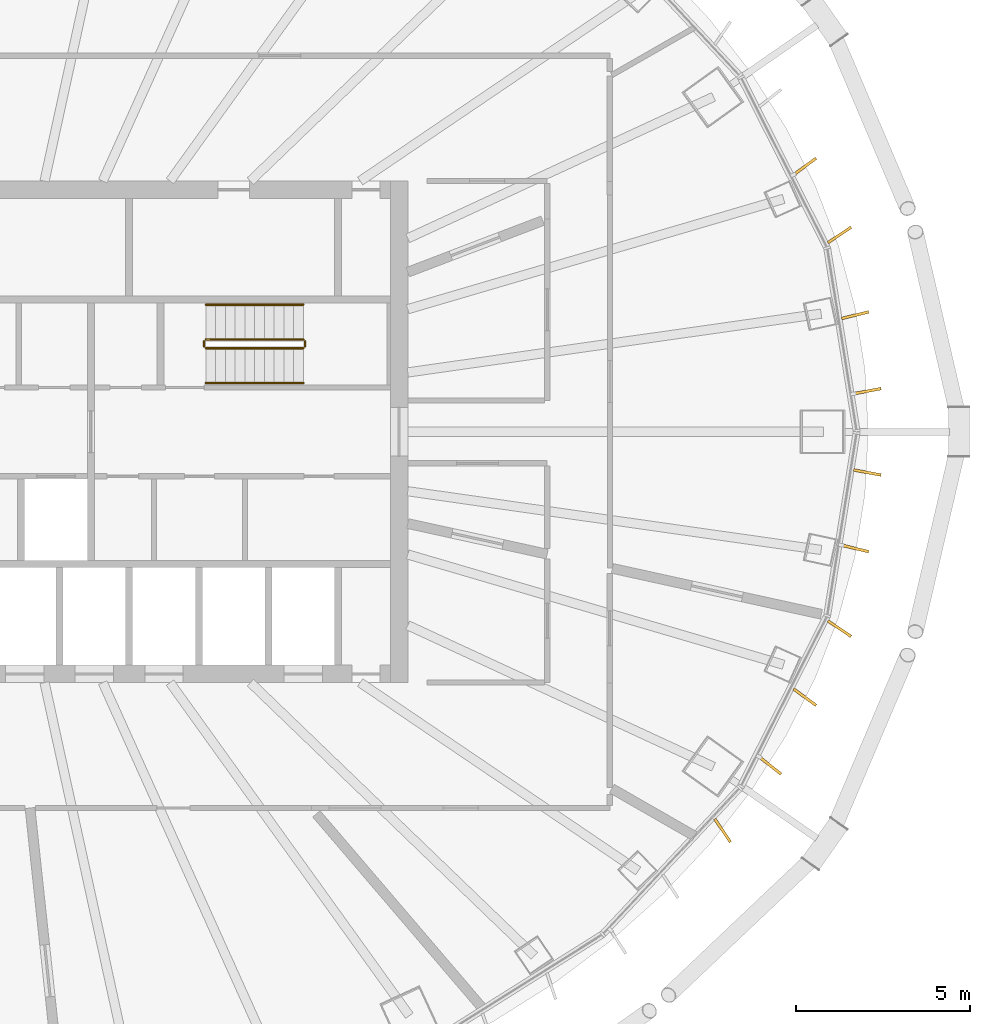
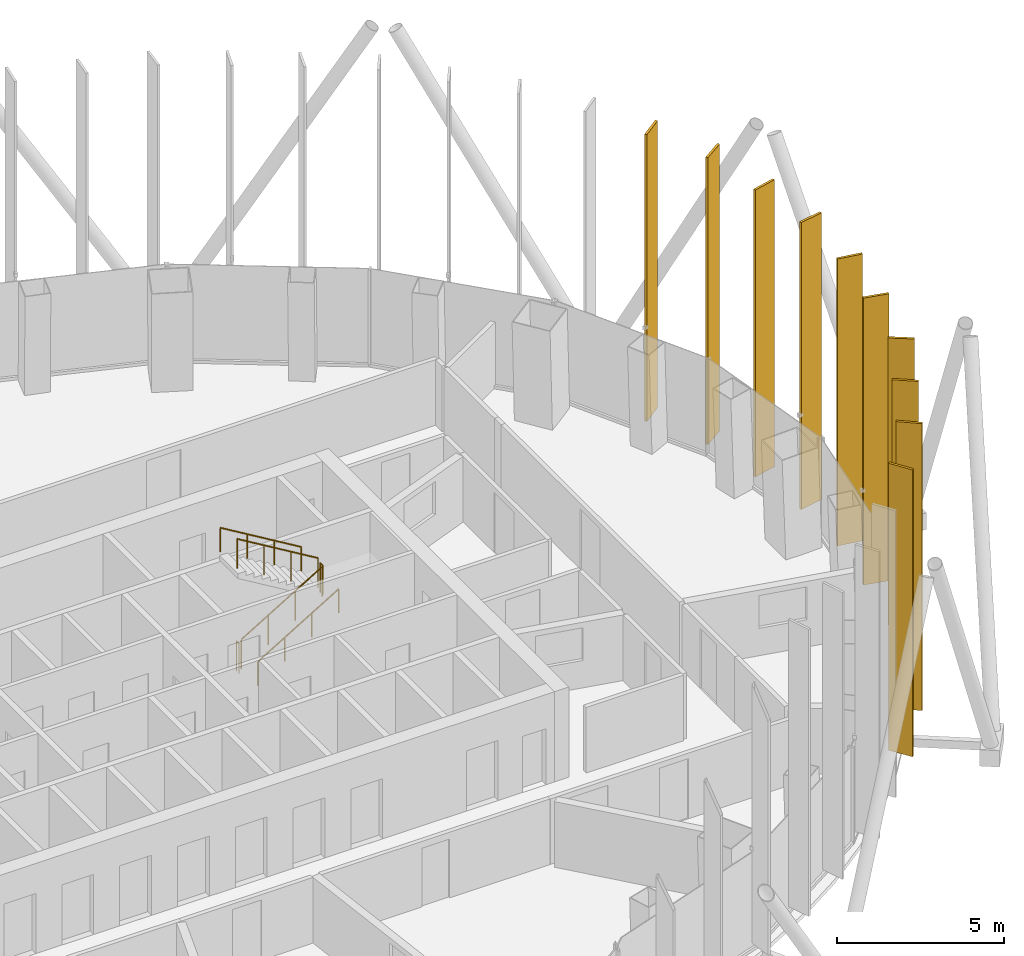
# One storey, part 18 of 19: 10 shading devices, 6 railings.
"""IFC4 building model written with IfcOpenShell, lengths in metres."""

from ifc_helpers import new_model, si_unit, direction, frame, origin, origin_2d, place, context, subcontext, project, spatial, rectangle, circle, extrude, material, layer, layer_set, type_object, element, save


model = new_model("IFC4")

# Units and contexts
model_context = context("Model", 3, precision=1e-05, world=origin(), true_north=direction((0.0, 1.0)))
body_context = subcontext(model_context, "Body", "Model", "MODEL_VIEW")
ifc_project = project(units=[si_unit("LENGTHUNIT", "METRE"), si_unit("AREAUNIT", "SQUARE_METRE"), si_unit("VOLUMEUNIT", "CUBIC_METRE"), si_unit("PLANEANGLEUNIT", "RADIAN"), si_unit("MASSUNIT", "GRAM", prefix="KILO")], contexts=[model_context])

# Site, building, storey
site_placement = place(None, origin())
site = spatial("IfcSite", under=ifc_project, at=site_placement, CompositionType="ELEMENT")
building_placement = place(site_placement, origin())
building = spatial("IfcBuilding", under=site, at=building_placement, Name="Siaravel Broadcast Tower", CompositionType="ELEMENT")
storey_placement = place(building_placement, frame((0.0, 0.0, 130.39990234375)))
storey = spatial("IfcBuildingStorey", under=building, at=storey_placement, Name="L31", CompositionType="ELEMENT", Elevation=130.39990234375)

# Shading devices
ifc_material_1 = material(Name="Bronze anodised aluminium", Category="aluminium")
ifc_layer = layer(ifc_material_1, 0.080078125)
ifc_layer_set = layer_set([ifc_layer], Name="Bronze anodised aluminium")
shading_device_type = type_object("IfcShadingDeviceType", Name="Bronze fin zone 2", PredefinedType="USERDEFINED", material=ifc_layer_set)
for number, where, z_axis, x_axis, name in (
    (1, (25.193359375, 1.167724609375, 0.300048828125), (0.0, 0.0, 1.0), (0.982870756, 0.184296164, 0.0), "Bronze fin L31-01"),
    (2, (24.841796875, 3.34765625, 0.300048828125), (0.0, 0.0, 1.0), (0.972128198, 0.234449926, 0.0), "Bronze fin L31-02"),
    (3, (24.39404296875, 5.651611328125, 0.300048828125), (0.0, 0.0, 1.0), (0.829358532, 0.558716767, 0.0), "Bronze fin L31-03"),
    (4, (23.3974609375, 7.6171875, 0.300048828125), (0.0, 0.0, 1.0), (0.805954113, 0.591978013, 0.0), "Bronze fin L31-04"),
    (5, (21.03857421875, -11.446533203125, 0.300048828125), (0.0, 0.0, 1.0), (0.56024149, -0.828329327, 0.0), "Bronze fin L31-60"),
    (6, (22.402099609375, -9.580078125, 0.300048828125), (0.0, 0.0, 1.0), (0.785557828, -0.61878825, 0.0), "Bronze fin L31-61"),
    (7, (23.3974609375, -7.6171875, 0.300048828125), (0.0, 0.0, 1.0), (0.805954113, -0.591978013, 0.0), "Bronze fin L31-62"),
    (8, (24.39404296875, -5.651611328125, 0.300048828125), (0.0, 0.0, 1.0), (0.829358532, -0.558716767, 0.0), "Bronze fin L31-63"),
    (9, (24.841796875, -3.34765625, 0.300048828125), (0.0, 0.0, 1.0), (0.972128198, -0.234449926, 0.0), "Bronze fin L31-64"),
    (10, (25.193359375, -1.167724609375, 0.300048828125), (0.0, 0.0, 1.0), (0.982870756, -0.184296164, 0.0), "Bronze fin L31-65"),
):
    element("IfcShadingDevice", number, at=place(storey_placement, frame(where, z_axis=z_axis, x_axis=x_axis)), inside=storey, type_object=shading_device_type, Name=name, ObjectType="FIN", PredefinedType="USERDEFINED", context=body_context, shape_type="SweptSolid", body=[
        extrude(rectangle(XDim=0.800048828125, YDim=0.080078125, at=origin_2d()), origin(), (0.0, 0.0, 1.0), 10.5),
    ])

# Railings
ifc_material_2 = material(Name="Stainless steel 316L", Category="steel")
railing_type_1 = type_object("IfcRailingType", Name="Stair guard 1100", PredefinedType="GUARDRAIL", material=ifc_material_2)
railing_1_placement = place(storey_placement, frame((6.199951171875, 2.39990234375, 0.168212890625)))
element("IfcRailing", 11, at=railing_1_placement, inside=storey, type_object=railing_type_1, Name="L31 ST-2 stair guard 1", PredefinedType="GUARDRAIL", context=body_context, shape_type="SweptSolid", body=[
    extrude(circle(Radius=0.02392578125, at=origin_2d()), frame((0.0, 0.0, 1.076171875), z_axis=(0.857242211, 0.0, 0.514913383), x_axis=(0.0, 1.0, 0.0)), (0.0, 0.0, 1.0), 3.266357421875),
    extrude(circle(Radius=0.02099609375, at=origin_2d()), origin(), (0.0, 0.0, 1.0), 1.052001953125),
    extrude(circle(Radius=0.02099609375, at=origin_2d()), frame((0.933349609375, 0.0, 0.560546875)), (0.0, 0.0, 1.0), 1.052001953125),
    extrude(circle(Radius=0.02099609375, at=origin_2d()), frame((1.86669921875, 0.0, 1.121337890625)), (0.0, 0.0, 1.0), 1.052001953125),
    extrude(circle(Radius=0.02099609375, at=origin_2d()), frame((2.800048828125, 0.0, 1.681884765625)), (0.0, 0.0, 1.0), 1.052001953125),
])
railing_2_placement = place(storey_placement, frame((9.050048828125, 2.449951171875, 1.85009765625)))
element("IfcRailing", 12, at=railing_2_placement, inside=storey, type_object=railing_type_1, Name="L31 ST-2 stair guard 2", PredefinedType="GUARDRAIL", context=body_context, shape_type="SweptSolid", body=[
    extrude(circle(Radius=0.02392578125, at=origin_2d()), frame((0.0, 0.0, 1.076171875), z_axis=(0.0, 1.0, 0.0), x_axis=(-1.0, 0.0, 0.0)), (0.0, 0.0, 1.0), 0.150146484375),
    extrude(circle(Radius=0.02099609375, at=origin_2d()), origin(), (0.0, 0.0, 1.0), 1.052001953125),
    extrude(circle(Radius=0.02099609375, at=origin_2d()), frame((0.0, 0.150146484375, 0.0)), (0.0, 0.0, 1.0), 1.052001953125),
])
railing_3_placement = place(storey_placement, frame((9.0, 2.64990234375, 2.018310546875)))
element("IfcRailing", 13, at=railing_3_placement, inside=storey, type_object=railing_type_1, Name="L31 ST-2 stair guard 3", PredefinedType="GUARDRAIL", context=body_context, shape_type="SweptSolid", body=[
    extrude(circle(Radius=0.02392578125, at=origin_2d()), frame((0.0, 0.0, 1.076171875), z_axis=(-0.857242211, 0.0, 0.514913383), x_axis=(0.0, -1.0, 0.0)), (0.0, 0.0, 1.0), 3.266357421875),
    extrude(circle(Radius=0.02099609375, at=origin_2d()), origin(), (0.0, 0.0, 1.0), 1.052001953125),
    extrude(circle(Radius=0.02099609375, at=origin_2d()), frame((-0.933349609375, 0.0, 0.560546875)), (0.0, 0.0, 1.0), 1.052001953125),
    extrude(circle(Radius=0.02099609375, at=origin_2d()), frame((-1.86669921875, 0.0, 1.121337890625)), (0.0, 0.0, 1.0), 1.052001953125),
    extrude(circle(Radius=0.02099609375, at=origin_2d()), frame((-2.800048828125, 0.0, 1.681884765625)), (0.0, 0.0, 1.0), 1.052001953125),
])
railing_4_placement = place(storey_placement, frame((6.14990234375, 2.449951171875, 0.0)))
element("IfcRailing", 14, at=railing_4_placement, inside=storey, type_object=railing_type_1, Name="L31 ST-2 stair guard 4", PredefinedType="GUARDRAIL", context=body_context, shape_type="SweptSolid", body=[
    extrude(circle(Radius=0.02392578125, at=origin_2d()), frame((0.0, 0.0, 1.076171875), z_axis=(0.0, 1.0, 0.0), x_axis=(-1.0, 0.0, 0.0)), (0.0, 0.0, 1.0), 0.150146484375),
    extrude(circle(Radius=0.02099609375, at=origin_2d()), origin(), (0.0, 0.0, 1.0), 1.052001953125),
    extrude(circle(Radius=0.02099609375, at=origin_2d()), frame((0.0, 0.150146484375, 0.0)), (0.0, 0.0, 1.0), 1.052001953125),
])
railing_type_2 = type_object("IfcRailingType", Name="Stair handrail 900", PredefinedType="HANDRAIL", material=ifc_material_2)
railing_5_placement = place(storey_placement, frame((6.199951171875, 1.39990234375, 0.168212890625)))
element("IfcRailing", 15, at=railing_5_placement, inside=storey, type_object=railing_type_2, Name="L31 ST-2 stair handrail 1", PredefinedType="HANDRAIL", context=body_context, shape_type="SweptSolid", body=[
    extrude(circle(Radius=0.02392578125, at=origin_2d()), frame((0.0, 0.0, 0.8759765625), z_axis=(0.857242211, 0.0, 0.514913383), x_axis=(0.0, 1.0, 0.0)), (0.0, 0.0, 1.0), 3.266357421875),
    extrude(circle(Radius=0.02099609375, at=origin_2d()), origin(), (0.0, 0.0, 1.0), 0.851806640625),
    extrude(circle(Radius=0.02099609375, at=origin_2d()), frame((0.933349609375, 0.0, 0.560546875)), (0.0, 0.0, 1.0), 0.851806640625),
    extrude(circle(Radius=0.02099609375, at=origin_2d()), frame((1.86669921875, 0.0, 1.121337890625)), (0.0, 0.0, 1.0), 0.851806640625),
    extrude(circle(Radius=0.02099609375, at=origin_2d()), frame((2.800048828125, 0.0, 1.681884765625)), (0.0, 0.0, 1.0), 0.851806640625),
])
railing_6_placement = place(storey_placement, frame((9.0, 3.64990234375, 2.018310546875)))
element("IfcRailing", 16, at=railing_6_placement, inside=storey, type_object=railing_type_2, Name="L31 ST-2 stair handrail 2", PredefinedType="HANDRAIL", context=body_context, shape_type="SweptSolid", body=[
    extrude(circle(Radius=0.02392578125, at=origin_2d()), frame((0.0, 0.0, 0.8759765625), z_axis=(-0.857242211, 0.0, 0.514913383), x_axis=(0.0, -1.0, 0.0)), (0.0, 0.0, 1.0), 3.266357421875),
    extrude(circle(Radius=0.02099609375, at=origin_2d()), origin(), (0.0, 0.0, 1.0), 0.851806640625),
    extrude(circle(Radius=0.02099609375, at=origin_2d()), frame((-0.933349609375, 0.0, 0.560546875)), (0.0, 0.0, 1.0), 0.851806640625),
    extrude(circle(Radius=0.02099609375, at=origin_2d()), frame((-1.86669921875, 0.0, 1.121337890625)), (0.0, 0.0, 1.0), 0.851806640625),
    extrude(circle(Radius=0.02099609375, at=origin_2d()), frame((-2.800048828125, 0.0, 1.681884765625)), (0.0, 0.0, 1.0), 0.851806640625),
])

save(model, "model.ifc")
